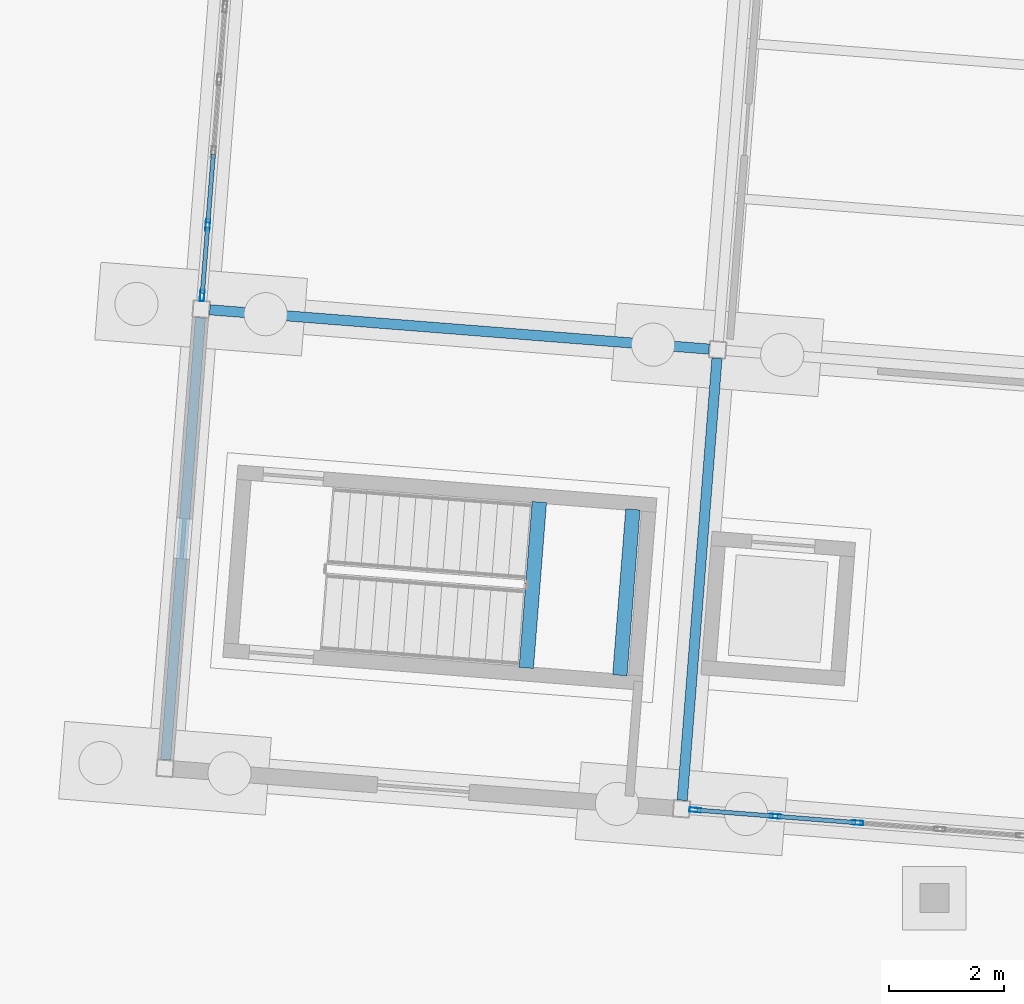
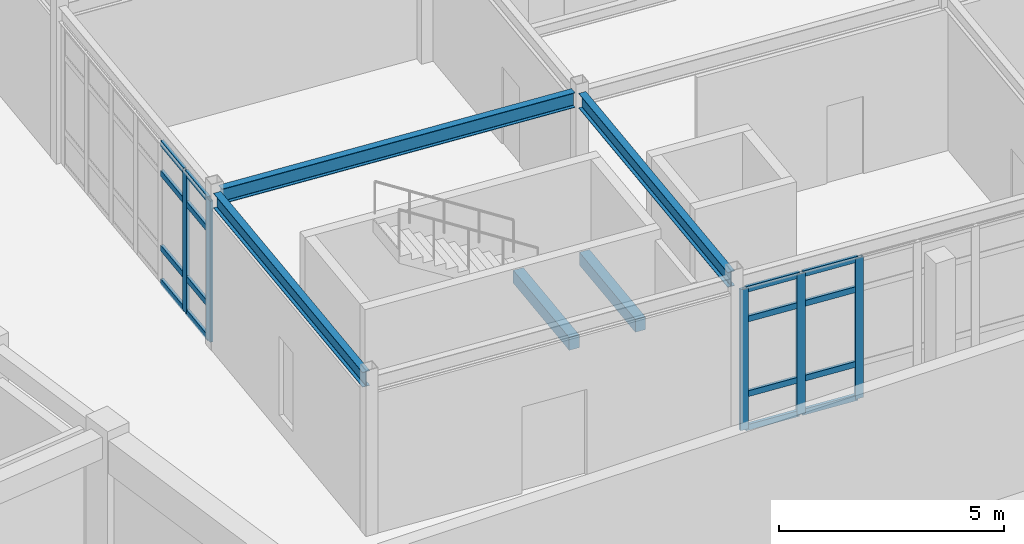
# One storey, part 72 of 154: 21 members, 5 beams, 2 elements without a shape of their own.
"""IFC4 building model written with IfcOpenShell, lengths in metres."""

from ifc_helpers import new_model, si_unit, direction, frame, origin, origin_2d, place, context, subcontext, project, spatial, rectangle, hollow_rectangle, i_section, extrude, material, material_profile, profile_set, type_object, element, aggregate, save


model = new_model("IFC4")

# Units and contexts
model_context = context("Model", 3, precision=1e-05, world=origin(), true_north=direction((0.0, 1.0)))
body_context = subcontext(model_context, "Body", "Model", "MODEL_VIEW")
ifc_project = project(units=[si_unit("LENGTHUNIT", "METRE"), si_unit("AREAUNIT", "SQUARE_METRE"), si_unit("VOLUMEUNIT", "CUBIC_METRE"), si_unit("PLANEANGLEUNIT", "RADIAN"), si_unit("MASSUNIT", "GRAM", prefix="KILO")], contexts=[model_context])

# Site, building, storey
site_placement = place(None, origin())
site = spatial("IfcSite", under=ifc_project, at=site_placement, CompositionType="ELEMENT")
building_placement = place(site_placement, origin())
building = spatial("IfcBuilding", under=site, at=building_placement, Name="Kestramere Prow Commons", CompositionType="ELEMENT")
storey_placement = place(building_placement, origin())
storey = spatial("IfcBuildingStorey", under=building, at=storey_placement, Name="L00", CompositionType="ELEMENT", Elevation=0.0)

# Beams
ifc_material_1 = material(Name="Steel S355JR", Category="steel")
ifc_material_profile_1 = material_profile(ifc_material_1, i_section(OverallWidth=0.177978515625, OverallDepth=0.406494140625, WebThickness=0.0078125, FlangeThickness=0.0126953125, FilletRadius=0.01025390625, at=origin_2d()), Name="UB 406x178x60")
ifc_profile_set_1 = profile_set([ifc_material_profile_1], Name="Steel S355JR")
beam_type_1 = type_object("IfcBeamType", Name="BM-NR-01 UB 406x178x60", PredefinedType="BEAM", material=ifc_profile_set_1)
beam_1_placement = place(storey_placement, frame((69.377197265625, 93.463623046875, 4.046875), z_axis=(0.996917066238, -0.078462494502, 0.0), x_axis=(0.078462494502, 0.996917066238, 0.0)))
element("IfcBeam", 1, at=beam_1_placement, inside=storey, type_object=beam_type_1, Name="Nursery L00 Beam U 2-1", PredefinedType="BEAM", context=body_context, shape_type="SweptSolid", body=[
    extrude(i_section(OverallWidth=0.177978515625, OverallDepth=0.406494140625, WebThickness=0.0078125, FlangeThickness=0.0126953125, FilletRadius=0.01025390625, at=origin_2d()), origin(), (0.0, 0.0, 1.0), 8.699951171875),
])
beam_2_placement = place(storey_placement, frame((77.583984375, 84.943359375, 4.046875), z_axis=(0.078473620365, 0.996916190513, 0.0), x_axis=(-0.996916190513, 0.078473620365, 0.0)))
element("IfcBeam", 2, at=beam_2_placement, inside=storey, type_object=beam_type_1, Name="Nursery L00 Beam V 2-1", PredefinedType="BEAM", context=body_context, shape_type="SweptSolid", body=[
    extrude(i_section(OverallWidth=0.177978515625, OverallDepth=0.406494140625, WebThickness=0.0078125, FlangeThickness=0.0126953125, FilletRadius=0.01025390625, at=origin_2d()), origin(), (0.0, 0.0, 1.0), 7.699951171875),
])
ifc_material_profile_2 = material_profile(ifc_material_1, i_section(OverallWidth=0.177978515625, OverallDepth=0.406494140625, WebThickness=0.0078125, FlangeThickness=0.0126953125, FilletRadius=0.01025390625, at=origin_2d()), Name="UB 406x178x60")
ifc_profile_set_2 = profile_set([ifc_material_profile_2], Name="Steel S355JR")
beam_type_2 = type_object("IfcBeamType", Name="BM-NR-01 UB 406x178x60 (EX)", PredefinedType="BEAM", material=ifc_profile_set_2)
beam_3_placement = place(storey_placement, frame((68.61181640625, 85.649658203125, 4.046875), z_axis=(0.078444588533, 0.996918475368, 0.0), x_axis=(-0.996918475368, 0.078444588533, 0.0)))
element("IfcBeam", 3, at=beam_3_placement, inside=storey, type_object=beam_type_2, Name="Nursery L00 Beam V 1-1", PredefinedType="BEAM", context=body_context, shape_type="SweptSolid", body=[
    extrude(i_section(OverallWidth=0.177978515625, OverallDepth=0.406494140625, WebThickness=0.0078125, FlangeThickness=0.0126953125, FilletRadius=0.01025390625, at=origin_2d()), origin(), (0.0, 0.0, 1.0), 7.69970703125),
])
ifc_material_2 = material(Name="Concrete C40/50", Category="concrete")
ifc_material_profile_3 = material_profile(ifc_material_2, rectangle(XDim=0.25, YDim=0.35009765625, at=origin_2d()), Name="PC-BM 250x350")
ifc_profile_set_3 = profile_set([ifc_material_profile_3], Name="Concrete C40/50")
beam_type_3 = type_object("IfcBeamType", Name="BM-ST-TRIM", PredefinedType="BEAM", material=ifc_profile_set_3)
for number, where, z_axis, x_axis, name in (
    (4, (74.8759765625, 87.242919921875, 1.875), (0.078479342642, 0.99691574006, 0.0), (-0.99691574006, 0.078479342642, 0.0), "ST-N1 L00 Landing Trimmer Beam 1A"),
    (5, (76.5009765625, 87.114990234375, 1.875), (0.078479342642, 0.99691574006, 0.0), (-0.99691574006, 0.078479342642, 0.0), "ST-N1 L00 Landing Trimmer Beam 1B"),
):
    element("IfcBeam", number, at=place(storey_placement, frame(where, z_axis=z_axis, x_axis=x_axis)), inside=storey, type_object=beam_type_3, Name=name, PredefinedType="BEAM", context=body_context, shape_type="SweptSolid", body=[
        extrude(rectangle(XDim=0.25, YDim=0.35009765625, at=origin_2d()), origin(), (0.0, 0.0, 1.0), 2.89013671875),
    ])

# Curtain wall, members
ifc_material_3 = material(Name="Anodised Aluminium and Low-E Glass", Category="aluminium")
curtain_wall_type_1 = type_object("IfcCurtainWallType", Name="CW-13 Glazed Curtain Wall 8600x3830", PredefinedType="USERDEFINED", material=ifc_material_3)
curtain_wall_1_placement = place(storey_placement, origin())
curtain_wall_1 = element("IfcCurtainWall", 6, at=curtain_wall_1_placement, inside=storey, type_object=curtain_wall_type_1, Name="Nursery L00 South Classroom Glazing 2", ObjectType="GLAZED CURTAIN WALL", PredefinedType="USERDEFINED")
ifc_material_4 = material(Name="Anodised Aluminium 6063-T6", Category="aluminium")
ifc_material_profile_4 = material_profile(ifc_material_4, hollow_rectangle(XDim=0.074951171875, YDim=0.199951171875, WallThickness=0.0048828125, at=origin_2d()), Name="ALU-MUL 75x200")
ifc_profile_set_4 = profile_set([ifc_material_profile_4], Name="Anodised Aluminium 6063-T6")
member_type_1 = type_object("IfcMemberType", Name="CW-MUL-75x200", PredefinedType="MULLION", material=ifc_profile_set_4)
member_1_placement = place(storey_placement, frame((80.62939453125, 84.55322265625, 0.0), z_axis=(0.0, 0.0, 1.0), x_axis=(-0.078459061468, -0.996917336429, 0.0)))
member_1 = element("IfcMember", 7, at=member_1_placement, type_object=member_type_1, Name="CW-13 mullion 5", PredefinedType="MULLION", context=body_context, shape_type="SweptSolid", body=[
    extrude(hollow_rectangle(XDim=0.074951171875, YDim=0.199951171875, WallThickness=0.0048828125, at=origin_2d()), origin(), (0.0, 0.0, 1.0), 3.830078125),
])
member_2_placement = place(storey_placement, frame((79.200439453125, 84.665771484375, 0.0), z_axis=(0.0, 0.0, 1.0), x_axis=(-0.078459061468, -0.996917336429, 0.0)))
member_2 = element("IfcMember", 8, at=member_2_placement, type_object=member_type_1, Name="CW-13 mullion 6", PredefinedType="MULLION", context=body_context, shape_type="SweptSolid", body=[
    extrude(hollow_rectangle(XDim=0.074951171875, YDim=0.199951171875, WallThickness=0.0048828125, at=origin_2d()), origin(), (0.0, 0.0, 1.0), 3.830078125),
])
member_3_placement = place(storey_placement, frame((77.80908203125, 84.775146484375, 0.0), z_axis=(0.0, 0.0, 1.0), x_axis=(-0.078459061468, -0.996917336429, 0.0)))
member_3 = element("IfcMember", 9, at=member_3_placement, type_object=member_type_1, Name="CW-13 mullion 7", PredefinedType="MULLION", context=body_context, shape_type="SweptSolid", body=[
    extrude(hollow_rectangle(XDim=0.074951171875, YDim=0.199951171875, WallThickness=0.0048828125, at=origin_2d()), origin(), (0.0, 0.0, 1.0), 3.830078125),
])

curtain_wall_type_2 = type_object("IfcCurtainWallType", Name="CW-14 Glazed Curtain Wall 7600x3830", PredefinedType="USERDEFINED", material=ifc_material_3)
curtain_wall_2_placement = place(storey_placement, origin())
curtain_wall_2 = element("IfcCurtainWall", 10, at=curtain_wall_2_placement, inside=storey, type_object=curtain_wall_type_2, Name="Nursery L00 W End Glazing", ObjectType="GLAZED CURTAIN WALL", PredefinedType="USERDEFINED")
member_4_placement = place(storey_placement, frame((69.246337890625, 93.712158203125, 0.0), z_axis=(0.0, 0.0, 1.0), x_axis=(-0.996917335259, 0.078459076345, 0.0)))
member_4 = element("IfcMember", 11, at=member_4_placement, type_object=member_type_1, Name="CW-14 mullion 1", PredefinedType="MULLION", context=body_context, shape_type="SweptSolid", body=[
    extrude(hollow_rectangle(XDim=0.074951171875, YDim=0.199951171875, WallThickness=0.0048828125, at=origin_2d()), origin(), (0.0, 0.0, 1.0), 3.830078125),
])
member_5_placement = place(storey_placement, frame((69.3427734375, 94.9375, 0.0), z_axis=(0.0, 0.0, 1.0), x_axis=(-0.996917335259, 0.078459076345, 0.0)))
member_5 = element("IfcMember", 12, at=member_5_placement, type_object=member_type_1, Name="CW-14 mullion 2", PredefinedType="MULLION", context=body_context, shape_type="SweptSolid", body=[
    extrude(hollow_rectangle(XDim=0.074951171875, YDim=0.199951171875, WallThickness=0.0048828125, at=origin_2d()), origin(), (0.0, 0.0, 1.0), 3.830078125),
])

# Member
ifc_material_profile_5 = material_profile(ifc_material_4, hollow_rectangle(XDim=0.074951171875, YDim=0.159912109375, WallThickness=0.0048828125, at=origin_2d()), Name="ALU-TRN 75x160")
ifc_profile_set_5 = profile_set([ifc_material_profile_5], Name="Anodised Aluminium 6063-T6")
member_type_2 = type_object("IfcMemberType", Name="CW-TRN-75x160", PredefinedType="USERDEFINED", material=ifc_profile_set_5)
member_6_placement = place(storey_placement, frame((80.592041015625, 84.55615234375, 0.03759765625), z_axis=(-0.996910013618, 0.078552051199, 0.0), x_axis=(-0.078552051199, -0.996910013618, 0.0)))
member_6 = element("IfcMember", 13, at=member_6_placement, type_object=member_type_2, Name="CW-13 transom 5.1", ObjectType="TRANSOM", PredefinedType="USERDEFINED", context=body_context, shape_type="SweptSolid", body=[
    extrude(hollow_rectangle(XDim=0.074951171875, YDim=0.159912109375, WallThickness=0.0048828125, at=origin_2d()), origin(), (0.0, 0.0, 1.0), 1.358154296875),
])

member_7_placement = place(storey_placement, frame((80.592041015625, 84.55615234375, 0.949951171875), z_axis=(-0.996910013618, 0.078552051199, 0.0), x_axis=(-0.078552051199, -0.996910013618, 0.0)))
member_7 = element("IfcMember", 14, at=member_7_placement, type_object=member_type_2, Name="CW-13 transom 5.2", ObjectType="TRANSOM", PredefinedType="USERDEFINED", context=body_context, shape_type="SweptSolid", body=[
    extrude(hollow_rectangle(XDim=0.074951171875, YDim=0.159912109375, WallThickness=0.0048828125, at=origin_2d()), origin(), (0.0, 0.0, 1.0), 1.358154296875),
])

member_8_placement = place(storey_placement, frame((80.592041015625, 84.55615234375, 2.97998046875), z_axis=(-0.996910013618, 0.078552051199, 0.0), x_axis=(-0.078552051199, -0.996910013618, 0.0)))
member_8 = element("IfcMember", 15, at=member_8_placement, type_object=member_type_2, Name="CW-13 transom 5.3", ObjectType="TRANSOM", PredefinedType="USERDEFINED", context=body_context, shape_type="SweptSolid", body=[
    extrude(hollow_rectangle(XDim=0.074951171875, YDim=0.159912109375, WallThickness=0.0048828125, at=origin_2d()), origin(), (0.0, 0.0, 1.0), 1.358154296875),
])

member_9_placement = place(storey_placement, frame((80.592041015625, 84.55615234375, 3.79248046875), z_axis=(-0.996910013618, 0.078552051199, 0.0), x_axis=(-0.078552051199, -0.996910013618, 0.0)))
member_9 = element("IfcMember", 16, at=member_9_placement, type_object=member_type_2, Name="CW-13 transom 5.4", ObjectType="TRANSOM", PredefinedType="USERDEFINED", context=body_context, shape_type="SweptSolid", body=[
    extrude(hollow_rectangle(XDim=0.074951171875, YDim=0.159912109375, WallThickness=0.0048828125, at=origin_2d()), origin(), (0.0, 0.0, 1.0), 1.358154296875),
])

member_10_placement = place(storey_placement, frame((79.1630859375, 84.668701171875, 0.03759765625), z_axis=(-0.996923667869, 0.078378571329, 0.0), x_axis=(-0.078378571329, -0.996923667869, 0.0)))
member_10 = element("IfcMember", 17, at=member_10_placement, type_object=member_type_2, Name="CW-13 transom 6.1", ObjectType="TRANSOM", PredefinedType="USERDEFINED", context=body_context, shape_type="SweptSolid", body=[
    extrude(hollow_rectangle(XDim=0.074951171875, YDim=0.159912109375, WallThickness=0.0048828125, at=origin_2d()), origin(), (0.0, 0.0, 1.0), 1.32080078125),
])

member_11_placement = place(storey_placement, frame((79.1630859375, 84.668701171875, 0.949951171875), z_axis=(-0.996923667869, 0.078378571329, 0.0), x_axis=(-0.078378571329, -0.996923667869, 0.0)))
member_11 = element("IfcMember", 18, at=member_11_placement, type_object=member_type_2, Name="CW-13 transom 6.2", ObjectType="TRANSOM", PredefinedType="USERDEFINED", context=body_context, shape_type="SweptSolid", body=[
    extrude(hollow_rectangle(XDim=0.074951171875, YDim=0.159912109375, WallThickness=0.0048828125, at=origin_2d()), origin(), (0.0, 0.0, 1.0), 1.32080078125),
])

member_12_placement = place(storey_placement, frame((79.1630859375, 84.668701171875, 2.97998046875), z_axis=(-0.996923667869, 0.078378571329, 0.0), x_axis=(-0.078378571329, -0.996923667869, 0.0)))
member_12 = element("IfcMember", 19, at=member_12_placement, type_object=member_type_2, Name="CW-13 transom 6.3", ObjectType="TRANSOM", PredefinedType="USERDEFINED", context=body_context, shape_type="SweptSolid", body=[
    extrude(hollow_rectangle(XDim=0.074951171875, YDim=0.159912109375, WallThickness=0.0048828125, at=origin_2d()), origin(), (0.0, 0.0, 1.0), 1.32080078125),
])

member_13_placement = place(storey_placement, frame((79.1630859375, 84.668701171875, 3.79248046875), z_axis=(-0.996923667869, 0.078378571329, 0.0), x_axis=(-0.078378571329, -0.996923667869, 0.0)))
member_13 = element("IfcMember", 20, at=member_13_placement, type_object=member_type_2, Name="CW-13 transom 6.4", ObjectType="TRANSOM", PredefinedType="USERDEFINED", context=body_context, shape_type="SweptSolid", body=[
    extrude(hollow_rectangle(XDim=0.074951171875, YDim=0.159912109375, WallThickness=0.0048828125, at=origin_2d()), origin(), (0.0, 0.0, 1.0), 1.32080078125),
])

aggregate(curtain_wall_1, [member_1, member_2, member_3, member_6, member_7, member_8, member_9, member_10, member_11, member_12, member_13])

member_14_placement = place(storey_placement, frame((69.249267578125, 93.74951171875, 0.03759765625), z_axis=(0.078475672976, 0.996916028937, 0.0), x_axis=(-0.996916028937, 0.078475672976, 0.0)))
member_14 = element("IfcMember", 21, at=member_14_placement, type_object=member_type_2, Name="CW-14 transom 1.1", ObjectType="TRANSOM", PredefinedType="USERDEFINED", context=body_context, shape_type="SweptSolid", body=[
    extrude(hollow_rectangle(XDim=0.074951171875, YDim=0.159912109375, WallThickness=0.0048828125, at=origin_2d()), origin(), (0.0, 0.0, 1.0), 1.154296875),
])

member_15_placement = place(storey_placement, frame((69.249267578125, 93.74951171875, 0.949951171875), z_axis=(0.078475672976, 0.996916028937, 0.0), x_axis=(-0.996916028937, 0.078475672976, 0.0)))
member_15 = element("IfcMember", 22, at=member_15_placement, type_object=member_type_2, Name="CW-14 transom 1.2", ObjectType="TRANSOM", PredefinedType="USERDEFINED", context=body_context, shape_type="SweptSolid", body=[
    extrude(hollow_rectangle(XDim=0.074951171875, YDim=0.159912109375, WallThickness=0.0048828125, at=origin_2d()), origin(), (0.0, 0.0, 1.0), 1.154296875),
])

member_16_placement = place(storey_placement, frame((69.249267578125, 93.74951171875, 2.97998046875), z_axis=(0.078475672976, 0.996916028937, 0.0), x_axis=(-0.996916028937, 0.078475672976, 0.0)))
member_16 = element("IfcMember", 23, at=member_16_placement, type_object=member_type_2, Name="CW-14 transom 1.3", ObjectType="TRANSOM", PredefinedType="USERDEFINED", context=body_context, shape_type="SweptSolid", body=[
    extrude(hollow_rectangle(XDim=0.074951171875, YDim=0.159912109375, WallThickness=0.0048828125, at=origin_2d()), origin(), (0.0, 0.0, 1.0), 1.154296875),
])

member_17_placement = place(storey_placement, frame((69.249267578125, 93.74951171875, 3.79248046875), z_axis=(0.078475672976, 0.996916028937, 0.0), x_axis=(-0.996916028937, 0.078475672976, 0.0)))
member_17 = element("IfcMember", 24, at=member_17_placement, type_object=member_type_2, Name="CW-14 transom 1.4", ObjectType="TRANSOM", PredefinedType="USERDEFINED", context=body_context, shape_type="SweptSolid", body=[
    extrude(hollow_rectangle(XDim=0.074951171875, YDim=0.159912109375, WallThickness=0.0048828125, at=origin_2d()), origin(), (0.0, 0.0, 1.0), 1.154296875),
])

member_18_placement = place(storey_placement, frame((69.345703125, 94.974853515625, 0.03759765625), z_axis=(0.078466730104, 0.996916732865, 0.0), x_axis=(-0.996916732865, 0.078466730104, 0.0)))
member_18 = element("IfcMember", 25, at=member_18_placement, type_object=member_type_2, Name="CW-14 transom 2.1", ObjectType="TRANSOM", PredefinedType="USERDEFINED", context=body_context, shape_type="SweptSolid", body=[
    extrude(hollow_rectangle(XDim=0.074951171875, YDim=0.159912109375, WallThickness=0.0048828125, at=origin_2d()), origin(), (0.0, 0.0, 1.0), 1.191650390625),
])

member_19_placement = place(storey_placement, frame((69.345703125, 94.974853515625, 0.949951171875), z_axis=(0.078466730104, 0.996916732865, 0.0), x_axis=(-0.996916732865, 0.078466730104, 0.0)))
member_19 = element("IfcMember", 26, at=member_19_placement, type_object=member_type_2, Name="CW-14 transom 2.2", ObjectType="TRANSOM", PredefinedType="USERDEFINED", context=body_context, shape_type="SweptSolid", body=[
    extrude(hollow_rectangle(XDim=0.074951171875, YDim=0.159912109375, WallThickness=0.0048828125, at=origin_2d()), origin(), (0.0, 0.0, 1.0), 1.191650390625),
])

member_20_placement = place(storey_placement, frame((69.345703125, 94.974853515625, 2.97998046875), z_axis=(0.078466730104, 0.996916732865, 0.0), x_axis=(-0.996916732865, 0.078466730104, 0.0)))
member_20 = element("IfcMember", 27, at=member_20_placement, type_object=member_type_2, Name="CW-14 transom 2.3", ObjectType="TRANSOM", PredefinedType="USERDEFINED", context=body_context, shape_type="SweptSolid", body=[
    extrude(hollow_rectangle(XDim=0.074951171875, YDim=0.159912109375, WallThickness=0.0048828125, at=origin_2d()), origin(), (0.0, 0.0, 1.0), 1.191650390625),
])

member_21_placement = place(storey_placement, frame((69.345703125, 94.974853515625, 3.79248046875), z_axis=(0.078466730104, 0.996916732865, 0.0), x_axis=(-0.996916732865, 0.078466730104, 0.0)))
member_21 = element("IfcMember", 28, at=member_21_placement, type_object=member_type_2, Name="CW-14 transom 2.4", ObjectType="TRANSOM", PredefinedType="USERDEFINED", context=body_context, shape_type="SweptSolid", body=[
    extrude(hollow_rectangle(XDim=0.074951171875, YDim=0.159912109375, WallThickness=0.0048828125, at=origin_2d()), origin(), (0.0, 0.0, 1.0), 1.191650390625),
])

aggregate(curtain_wall_2, [member_4, member_5, member_14, member_15, member_16, member_17, member_18, member_19, member_20, member_21])

save(model, "model.ifc")
